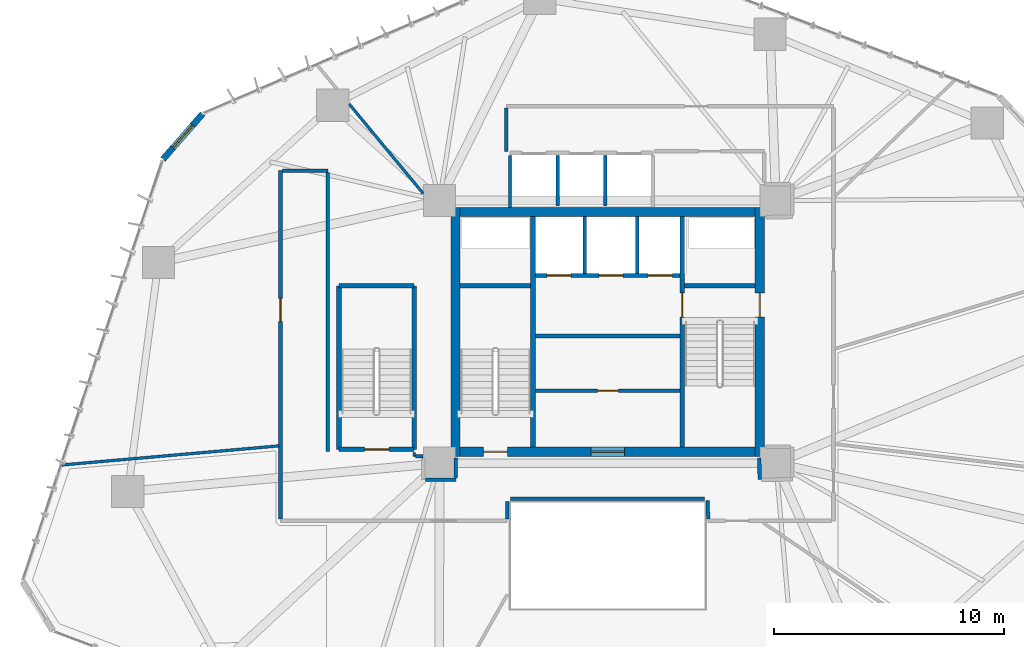
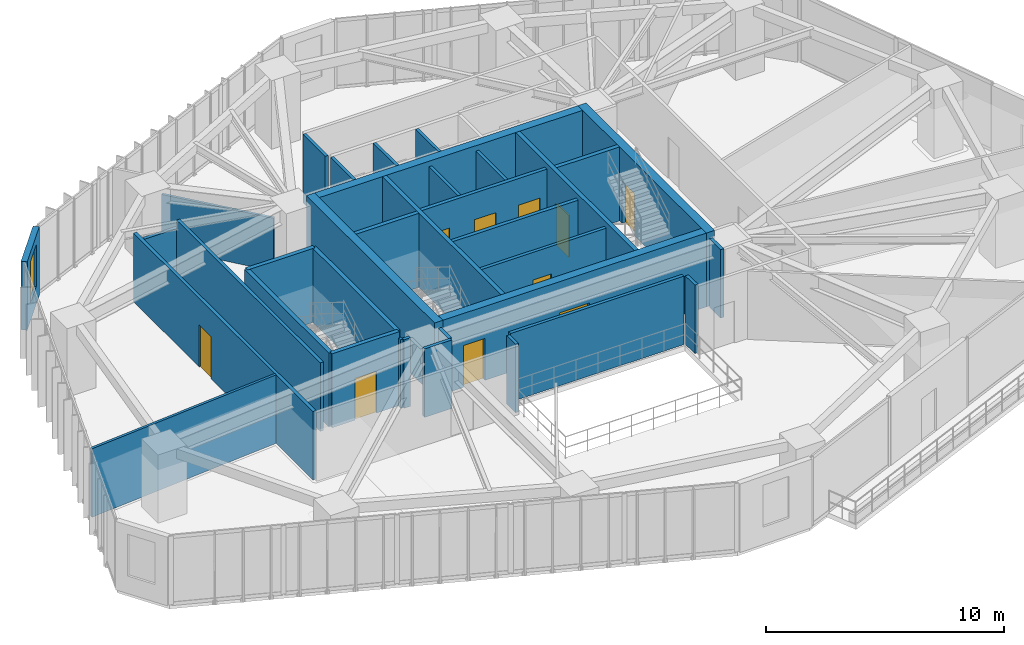
# One storey, part 18 of 23: 35 walls, 10 doors, 1 window, 11 openings.
"""IFC4 building model written with IfcOpenShell, lengths in metres."""

from ifc_helpers import new_model, si_unit, direction, frame, frame_2d, origin, place, context, subcontext, project, spatial, rectangle, extrude, source, transform, mapped, material, layer, layer_set, type_object, type_shapes, element, fill, save


model = new_model("IFC4")

# Units and contexts
model_context = context("Model", 3, precision=1e-05, world=origin(), true_north=direction((0.0, 1.0)))
body_context = subcontext(model_context, "Body", "Model", "MODEL_VIEW")
ifc_project = project(units=[si_unit("LENGTHUNIT", "METRE"), si_unit("AREAUNIT", "SQUARE_METRE"), si_unit("VOLUMEUNIT", "CUBIC_METRE"), si_unit("PLANEANGLEUNIT", "RADIAN"), si_unit("MASSUNIT", "GRAM", prefix="KILO")], contexts=[model_context])

# Site, building, storey
site_placement = place(None, origin())
site = spatial("IfcSite", under=ifc_project, at=site_placement, CompositionType="ELEMENT")
building_placement = place(site_placement, origin())
building = spatial("IfcBuilding", under=site, at=building_placement, Name="Talar Marvaseh", CompositionType="ELEMENT")
storey_placement = place(building_placement, frame((0.0, 0.0, 27.800048828125)))
storey = spatial("IfcBuildingStorey", under=building, at=storey_placement, Name="L06", CompositionType="ELEMENT", Elevation=27.800048828125)

# Wall, opening, window
ifc_material_1 = material(Name="Precast concrete C45/55", Category="concrete")
ifc_layer_1 = layer(ifc_material_1, 0.27001953125)
ifc_layer_set_1 = layer_set([ifc_layer_1], Name="Precast concrete C45/55")
wall_type_1 = type_object("IfcWallType", Name="Chamfered Hexagonal Corner Pier Wall Z1 270", PredefinedType="SOLIDWALL", material=ifc_layer_set_1)
wall_1_placement = place(storey_placement, frame((6.697021484375, 38.694091796875, 0.0), z_axis=(0.0, 0.0, 1.0), x_axis=(0.657647588364, 0.753325726043, 0.0)))
wall_1 = element("IfcWall", 1, at=wall_1_placement, inside=storey, type_object=wall_type_1, Name="L06 Chamfered Corner Limestone Pier 2", PredefinedType="SOLIDWALL", context=body_context, shape_type="SweptSolid", body=[
    extrude(rectangle(XDim=2.623046875, YDim=0.27001953125, at=frame_2d((1.3115234375, 0.0))), origin(), (0.0, 0.0, 1.0), 3.52001953125),
])
opening_1_placement = place(wall_1_placement, frame((0.662109375, 0.0, 0.89990234375)))
opening_1 = element("IfcOpeningElement", 2, at=opening_1_placement, cuts=wall_1, Name="Opening WN-CHM13", PredefinedType="OPENING", context=body_context, shape_type="SweptSolid", body=[
    extrude(rectangle(XDim=1.300048828125, YDim=2.14990234375, at=frame_2d((0.64990234375, 1.074951171875))), frame((0.0, 0.14501953125, 0.0), z_axis=(0.0, -1.0, 0.0), x_axis=(1.0, 0.0, 0.0)), (0.0, 0.0, 1.0), 0.2900390625),
])
ifc_material_2 = material(Name="Laminated Low-E Solar Glass", Category="glass")
window_type = type_object("IfcWindowType", Name="Zone 1 Chamfered Corner Slot Window 1300x2150", PartitioningType="SINGLE_PANEL", PredefinedType="WINDOW", material=ifc_material_2)
shared_shape_1 = source(origin(), body_context, "Body", "SweptSolid", [
    extrude(rectangle(XDim=1.300048828125, YDim=2.14990234375, at=frame_2d((0.64990234375, 1.074951171875))), frame((0.0, 0.030029296875, 0.0), z_axis=(0.0, -1.0, 0.0), x_axis=(1.0, 0.0, 0.0)), (0.0, 0.0, 1.0), 0.06005859375),
])
type_shapes(window_type, [shared_shape_1])
window_placement = place(opening_1_placement, origin())
window = element("IfcWindow", 3, at=window_placement, inside=storey, type_object=window_type, Name="L06 Chamfered Corner Slot Window", OverallHeight=2.14990234375, OverallWidth=1.300048828125, PartitioningType="SINGLE_PANEL", PredefinedType="WINDOW", context=body_context, shape_type="MappedRepresentation", body=[
    mapped(shared_shape_1, transform((0.0, 0.0, 0.0), x_axis=(1.0, 0.0, 0.0), y_axis=(0.0, 1.0, 0.0), z_axis=(0.0, 0.0, 1.0), scale=1.0)),
])
fill(opening_1, window)

# Wall, opening, door
ifc_material_3 = material(Name="Gypsum Board Partition Assembly")
ifc_layer_2 = layer(ifc_material_3, 0.155029296875)
ifc_layer_set_2 = layer_set([ifc_layer_2], Name="Gypsum Board Partition Assembly")
wall_type_2 = type_object("IfcWallType", Name="Corridor Fire-Rated Acoustic Partition 155", PredefinedType="PARTITIONING", material=ifc_layer_set_2)
wall_2_placement = place(storey_placement, frame((22.865966796875, 28.639892578125, 0.0), z_axis=(0.0, 0.0, 1.0), x_axis=(1.0, 0.0, 0.0)))
wall_2 = element("IfcWall", 4, at=wall_2_placement, inside=storey, type_object=wall_type_2, Name="L06 Core BOH Partition", PredefinedType="PARTITIONING", context=body_context, shape_type="SweptSolid", body=[
    extrude(rectangle(XDim=6.26806640625, YDim=0.155029296875, at=frame_2d((3.134033203125, 0.0))), origin(), (0.0, 0.0, 1.0), 3.52001953125),
])
opening_2_placement = place(wall_2_placement, frame((2.699951171875, 0.0, 0.0)))
opening_2 = element("IfcOpeningElement", 5, at=opening_2_placement, cuts=wall_2, Name="Opening DR-BOH090", PredefinedType="OPENING", context=body_context, shape_type="SweptSolid", body=[
    extrude(rectangle(XDim=0.89990234375, YDim=2.10009765625, at=frame_2d((0.449951171875, 1.050048828125))), frame((0.0, 0.08740234375, 0.0), z_axis=(0.0, -1.0, 0.0), x_axis=(1.0, 0.0, 0.0)), (0.0, 0.0, 1.0), 0.175048828125),
])
ifc_material_4 = material(Name="Fire-Rated Steel Door Leaf", Category="steel")
door_type_1 = type_object("IfcDoorType", Name="Core Back-of-House Service Door 900x2100", OperationType="NOTDEFINED", PredefinedType="DOOR", material=ifc_material_4)
shared_shape_2 = source(origin(), body_context, "Body", "SweptSolid", [
    extrude(rectangle(XDim=0.89990234375, YDim=2.10009765625, at=frame_2d((0.449951171875, 1.050048828125))), frame((0.0, 0.02490234375, 0.0), z_axis=(0.0, -1.0, 0.0), x_axis=(1.0, 0.0, 0.0)), (0.0, 0.0, 1.0), 0.050048828125),
])
type_shapes(door_type_1, [shared_shape_2])
door_1_placement = place(opening_2_placement, origin())
door_1 = element("IfcDoor", 6, at=door_1_placement, inside=storey, type_object=door_type_1, Name="L06 Store Core Central Archive Door", OperationType="SINGLE_SWING_LEFT", OverallHeight=2.10009765625, OverallWidth=0.89990234375, PredefinedType="DOOR", context=body_context, shape_type="MappedRepresentation", body=[
    mapped(shared_shape_2, transform((0.0, 0.0, 0.0), x_axis=(1.0, 0.0, 0.0), y_axis=(0.0, 1.0, 0.0), z_axis=(0.0, 0.0, 1.0), scale=1.0)),
])
fill(opening_2, door_1)

wall_3_placement = place(storey_placement, frame((11.800048828125, 23.08349609375, 0.0), z_axis=(0.0, 0.0, 1.0), x_axis=(0.0, 1.0, 0.0)))
wall_3 = element("IfcWall", 7, at=wall_3_placement, inside=storey, type_object=wall_type_2, Name="L06 Interior Partition Wall", PredefinedType="PARTITIONING", context=body_context, shape_type="SweptSolid", body=[
    extrude(rectangle(XDim=15.116455078125, YDim=0.155029296875, at=frame_2d((7.55810546875, 0.0))), origin(), (0.0, 0.0, 1.0), 3.52001953125),
])
opening_3_placement = place(wall_3_placement, frame((8.5751953125, 0.0, 0.0)))
opening_3 = element("IfcOpeningElement", 8, at=opening_3_placement, cuts=wall_3, Name="Opening DR-RM100", PredefinedType="OPENING", context=body_context, shape_type="SweptSolid", body=[
    extrude(rectangle(XDim=1.0, YDim=2.14990234375, at=frame_2d((0.5, 1.074951171875))), frame((0.0, 0.08740234375, 0.0), z_axis=(0.0, -1.0, 0.0), x_axis=(1.0, 0.0, 0.0)), (0.0, 0.0, 1.0), 0.175048828125),
])
ifc_material_5 = material(Name="Acoustic Engineered Oak Timber", Category="wood")
door_type_2 = type_object("IfcDoorType", Name="Corridor Fire-Rated Gallery Door 1000x2150", OperationType="NOTDEFINED", PredefinedType="DOOR", material=ifc_material_5)
shared_shape_3 = source(origin(), body_context, "Body", "SweptSolid", [
    extrude(rectangle(XDim=1.0, YDim=2.14990234375, at=frame_2d((0.5, 1.074951171875))), frame((0.0, 0.02490234375, 0.0), z_axis=(0.0, -1.0, 0.0), x_axis=(1.0, 0.0, 0.0)), (0.0, 0.0, 1.0), 0.050048828125),
])
type_shapes(door_type_2, [shared_shape_3])
door_2_placement = place(opening_3_placement, origin())
door_2 = element("IfcDoor", 9, at=door_2_placement, inside=storey, type_object=door_type_2, Name="L06 Cultural Fellowship Office Door", OperationType="SINGLE_SWING_RIGHT", OverallHeight=2.14990234375, OverallWidth=1.0, PredefinedType="DOOR", context=body_context, shape_type="MappedRepresentation", body=[
    mapped(shared_shape_3, transform((0.0, 0.0, 0.0), x_axis=(1.0, 0.0, 0.0), y_axis=(0.0, 1.0, 0.0), z_axis=(0.0, 0.0, 1.0), scale=1.0)),
])
fill(opening_3, door_2)

# Walls
wall_4_placement = place(storey_placement, frame((30.199951171875, 23.9599609375, 0.0), z_axis=(0.0, 0.0, 1.0), x_axis=(-0.999999996213, -8.7029677e-05, 0.0)))
element("IfcWall", 10, at=wall_4_placement, inside=storey, type_object=wall_type_2, Name="L06 Interior Partition Wall", PredefinedType="PARTITIONING", context=body_context, shape_type="SweptSolid", body=[
    extrude(rectangle(XDim=8.415771484375, YDim=0.155029296875, at=frame_2d((4.2080078125, 0.0))), origin(), (0.0, 0.0, 1.0), 3.52001953125),
])
wall_5_placement = place(storey_placement, frame((21.64306640625, 23.831298828125, 0.0), z_axis=(0.0, 0.0, 1.0), x_axis=(-0.00359122725, -0.999993551523, 0.0)))
element("IfcWall", 11, at=wall_5_placement, inside=storey, type_object=wall_type_2, Name="L06 Interior Partition Wall", PredefinedType="PARTITIONING", context=body_context, shape_type="SweptSolid", body=[
    extrude(rectangle(XDim=0.747802734375, YDim=0.155029296875, at=frame_2d((0.3740234375, 0.0))), origin(), (0.0, 0.0, 1.0), 3.52001953125),
])
wall_6_placement = place(storey_placement, frame((11.883544921875, 38.199951171875, 0.0), z_axis=(0.0, 0.0, 1.0), x_axis=(1.0, 0.0, 0.0)))
element("IfcWall", 12, at=wall_6_placement, inside=storey, type_object=wall_type_2, Name="L06 Interior Partition Wall", PredefinedType="PARTITIONING", context=body_context, shape_type="SweptSolid", body=[
    extrude(rectangle(XDim=1.966552734375, YDim=0.155029296875, at=frame_2d((0.9833984375, 0.0))), origin(), (0.0, 0.0, 1.0), 3.08203125),
])
wall_7_placement = place(storey_placement, frame((13.85009765625, 38.116455078125, 0.0), z_axis=(0.0, 0.0, 1.0), x_axis=(0.0, -1.0, 0.0)))
element("IfcWall", 13, at=wall_7_placement, inside=storey, type_object=wall_type_2, Name="L06 Interior Partition Wall", PredefinedType="PARTITIONING", context=body_context, shape_type="SweptSolid", body=[
    extrude(rectangle(XDim=12.096435546875, YDim=0.155029296875, at=frame_2d((6.04833984375, 0.0))), origin(), (0.0, 0.0, 1.0), 3.52001953125),
])
wall_8_placement = place(storey_placement, frame((17.666015625, 25.800048828125, 0.0), z_axis=(0.0, 0.0, 1.0), x_axis=(1.0, 0.0, 0.0)))
element("IfcWall", 14, at=wall_8_placement, inside=storey, type_object=wall_type_2, Name="L06 Interior Partition Wall", PredefinedType="PARTITIONING", context=body_context, shape_type="SweptSolid", body=[
    extrude(rectangle(XDim=0.319091796875, YDim=0.155029296875, at=frame_2d((0.15966796875, 0.0))), origin(), (0.0, 0.0, 1.0), 3.52001953125),
])
wall_9_placement = place(storey_placement, frame((18.08203125, 24.78515625, 0.0), z_axis=(0.0, 0.0, 1.0), x_axis=(0.99999830547, 0.001840939443, 0.0)))
element("IfcWall", 15, at=wall_9_placement, inside=storey, type_object=wall_type_2, Name="L06 Interior Partition Wall", PredefinedType="PARTITIONING", context=body_context, shape_type="SweptSolid", body=[
    extrude(rectangle(XDim=1.326171875, YDim=0.155029296875, at=frame_2d((0.6630859375, 0.0))), origin(), (0.0, 0.0, 1.0), 3.52001953125),
])
wall_10_placement = place(storey_placement, frame((19.408935546875, 24.87109375, 0.0), z_axis=(0.0, 0.0, 1.0), x_axis=(0.007106130977, 0.999974751133, 0.0)))
element("IfcWall", 16, at=wall_10_placement, inside=storey, type_object=wall_type_2, Name="L06 Interior Partition Wall", PredefinedType="PARTITIONING", context=body_context, shape_type="SweptSolid", body=[
    extrude(rectangle(XDim=0.85888671875, YDim=0.155029296875, at=frame_2d((0.429443359375, 0.0))), origin(), (0.0, 0.0, 1.0), 3.52001953125),
])
wall_11_placement = place(storey_placement, frame((32.5849609375, 25.72998046875, 0.0), z_axis=(0.0, 0.0, 1.0), x_axis=(0.007253695172, -0.999973691607, 0.0)))
element("IfcWall", 17, at=wall_11_placement, inside=storey, type_object=wall_type_2, Name="L06 Interior Partition Wall", PredefinedType="PARTITIONING", context=body_context, shape_type="SweptSolid", body=[
    extrude(rectangle(XDim=0.9423828125, YDim=0.155029296875, at=frame_2d((0.47119140625, 0.0))), origin(), (0.0, 0.0, 1.0), 3.52001953125),
])
wall_12_placement = place(storey_placement, frame((21.60009765625, 39.0400390625, 0.0), z_axis=(0.0, 0.0, 1.0), x_axis=(0.0, 1.0, 0.0)))
element("IfcWall", 18, at=wall_12_placement, inside=storey, type_object=wall_type_2, Name="L06 Interior Partition Wall", PredefinedType="PARTITIONING", context=body_context, shape_type="SweptSolid", body=[
    extrude(rectangle(XDim=1.87646484375, YDim=0.155029296875, at=frame_2d((0.938232421875, 0.0))), origin(), (0.0, 0.0, 1.0), 3.52001953125),
])
wall_13_placement = place(storey_placement, frame((30.358154296875, 23.08349609375, 0.0), z_axis=(0.0, 0.0, 1.0), x_axis=(-0.021573276475, 0.999767269789, 0.0)))
element("IfcWall", 19, at=wall_13_placement, inside=storey, type_object=wall_type_2, Name="L06 Interior Partition Wall", PredefinedType="PARTITIONING", context=body_context, shape_type="SweptSolid", body=[
    extrude(rectangle(XDim=0.792236328125, YDim=0.155029296875, at=frame_2d((0.39599609375, 0.0))), origin(), (0.0, 0.0, 1.0), 3.52001953125),
])
ifc_layer_3 = layer(ifc_material_3, 0.1201171875)
ifc_layer_set_3 = layer_set([ifc_layer_3], Name="Gypsum Board Partition Assembly")
wall_type_3 = type_object("IfcWallType", Name="Demountable Studio Room Partition 120", PredefinedType="PARTITIONING", material=ifc_layer_set_3)
wall_14_placement = place(storey_placement, frame((17.60009765625, 25.96240234375, 0.0), z_axis=(0.0, 0.0, 1.0), x_axis=(0.0, -1.0, 0.0)))
element("IfcWall", 20, at=wall_14_placement, inside=storey, type_object=wall_type_3, Name="L06 Interior Partition Wall", PredefinedType="PARTITIONING", context=body_context, shape_type="SweptSolid", body=[
    extrude(rectangle(XDim=0.1748046875, YDim=0.1201171875, at=frame_2d((0.08740234375, 0.0))), origin(), (0.0, 0.0, 1.0), 3.52001953125),
])
wall_15_placement = place(storey_placement, frame((2.300537109375, 25.42333984375, 0.0), z_axis=(0.0, 0.0, 1.0), x_axis=(0.996143047985, 0.087744104938, 0.0)))
element("IfcWall", 21, at=wall_15_placement, inside=storey, type_object=wall_type_3, Name="L06 Interior Partition Wall", PredefinedType="PARTITIONING", context=body_context, shape_type="SweptSolid", body=[
    extrude(rectangle(XDim=9.471435546875, YDim=0.1201171875, at=frame_2d((4.73583984375, 0.0))), origin(), (0.0, 0.0, 1.0), 3.52001953125),
])
wall_16_placement = place(storey_placement, frame((17.989990234375, 37.2099609375, 0.0), z_axis=(0.0, 0.0, 1.0), x_axis=(-0.63742879538, 0.770509267187, 0.0)))
element("IfcWall", 22, at=wall_16_placement, inside=storey, type_object=wall_type_3, Name="L06 Interior Partition Wall", PredefinedType="PARTITIONING", context=body_context, shape_type="SweptSolid", body=[
    extrude(rectangle(XDim=5.035888671875, YDim=0.1201171875, at=frame_2d((2.51806640625, 0.0))), origin(), (0.0, 0.0, 1.0), 2.721923828125),
])
ifc_layer_4 = layer(ifc_material_1, 0.14501953125)
ifc_layer_set_4 = layer_set([ifc_layer_4], Name="Precast concrete C45/55")
wall_type_4 = type_object("IfcWallType", Name="Fire-Rated Lift Divider Wall 145", PredefinedType="SOLIDWALL", material=ifc_layer_set_4)
for number, where, z_axis, x_axis, name in (
    (23, (25.0, 33.743408203125, 0.0), (0.0, 0.0, 1.0), (0.0, 1.0, 0.0), "L06 FFL-1/FFL-2 Divider"),
    (24, (27.280029296875, 33.743408203125, 0.0), (0.0, 0.0, 1.0), (0.0, 1.0, 0.0), "L06 FFL-2/SVL-1 Divider"),
):
    element("IfcWall", number, at=place(storey_placement, frame(where, z_axis=z_axis, x_axis=x_axis)), inside=storey, type_object=wall_type_4, Name=name, PredefinedType="SOLIDWALL", context=body_context, shape_type="SweptSolid", body=[
        extrude(rectangle(XDim=2.45654296875, YDim=0.14501953125, at=frame_2d((1.228271484375, 0.0))), origin(), (0.0, 0.0, 1.0), 3.52001953125),
    ])
wall_17_placement = place(storey_placement, frame((21.760009765625, 36.60009765625, 0.0), z_axis=(0.0, 0.0, 1.0), x_axis=(0.0, 1.0, 0.0)))
element("IfcWall", 25, at=wall_17_placement, inside=storey, type_object=wall_type_4, Name="L06 Low-Rise Bank West Wall", PredefinedType="SOLIDWALL", context=body_context, shape_type="SweptSolid", body=[
    extrude(rectangle(XDim=2.266357421875, YDim=0.14501953125, at=frame_2d((1.13330078125, 0.0))), origin(), (0.0, 0.0, 1.0), 3.52001953125),
])
for number, where, z_axis, x_axis, name in (
    (26, (23.830078125, 36.659912109375, 0.0), (0.0, 0.0, 1.0), (0.0, 1.0, 0.0), "L06 PL-L1/PL-L2 Divider"),
    (27, (25.889892578125, 36.659912109375, 0.0), (0.0, 0.0, 1.0), (0.0, 1.0, 0.0), "L06 PL-L2/PL-L3 Divider"),
):
    element("IfcWall", number, at=place(storey_placement, frame(where, z_axis=z_axis, x_axis=x_axis)), inside=storey, type_object=wall_type_4, Name=name, PredefinedType="SOLIDWALL", context=body_context, shape_type="SweptSolid", body=[
        extrude(rectangle(XDim=2.20654296875, YDim=0.14501953125, at=frame_2d((1.103271484375, 0.0))), origin(), (0.0, 0.0, 1.0), 3.52001953125),
    ])

# Wall, openings, doors
ifc_layer_5 = layer(ifc_material_1, 0.175048828125)
ifc_layer_set_5 = layer_set([ifc_layer_5], Name="Precast concrete C45/55")
wall_type_5 = type_object("IfcWallType", Name="Fire-Rated Lift Hoistway Enclosure Wall 175", PredefinedType="SOLIDWALL", material=ifc_layer_set_5)
wall_18_placement = place(storey_placement, frame((22.860107421875, 33.64990234375, 0.0), z_axis=(0.0, 0.0, 1.0), x_axis=(1.0, 0.0, 0.0)))
wall_18 = element("IfcWall", 28, at=wall_18_placement, inside=storey, type_object=wall_type_5, Name="L06 Firefighting and Service Lift Front Wall", PredefinedType="SOLIDWALL", context=body_context, shape_type="SweptSolid", body=[
    extrude(rectangle(XDim=6.27978515625, YDim=0.175048828125, at=frame_2d((3.139892578125, 0.0))), origin(), (0.0, 0.0, 1.0), 3.52001953125),
])
opening_4_placement = place(wall_18_placement, frame((0.5, 0.0, 0.0)))
opening_4 = element("IfcOpeningElement", 29, at=opening_4_placement, cuts=wall_18, Name="Opening LD-FF1", PredefinedType="OPENING", context=body_context, shape_type="SweptSolid", body=[
    extrude(rectangle(XDim=1.050048828125, YDim=2.14990234375, at=frame_2d((0.52490234375, 1.074951171875))), frame((0.0, 0.09765625, 0.0), z_axis=(0.0, -1.0, 0.0), x_axis=(1.0, 0.0, 0.0)), (0.0, 0.0, 1.0), 0.195068359375),
])
opening_5_placement = place(wall_18_placement, frame((2.760009765625, 0.0, 0.0)))
opening_5 = element("IfcOpeningElement", 30, at=opening_5_placement, cuts=wall_18, Name="Opening LD-FF2", PredefinedType="OPENING", context=body_context, shape_type="SweptSolid", body=[
    extrude(rectangle(XDim=1.050048828125, YDim=2.14990234375, at=frame_2d((0.52490234375, 1.074951171875))), frame((0.0, 0.09765625, 0.0), z_axis=(0.0, -1.0, 0.0), x_axis=(1.0, 0.0, 0.0)), (0.0, 0.0, 1.0), 0.195068359375),
])
opening_6_placement = place(wall_18_placement, frame((4.89990234375, 0.0, 0.0)))
opening_6 = element("IfcOpeningElement", 31, at=opening_6_placement, cuts=wall_18, Name="Opening LD-SV1", PredefinedType="OPENING", context=body_context, shape_type="SweptSolid", body=[
    extrude(rectangle(XDim=1.050048828125, YDim=2.14990234375, at=frame_2d((0.52490234375, 1.074951171875))), frame((0.0, 0.09765625, 0.0), z_axis=(0.0, -1.0, 0.0), x_axis=(1.0, 0.0, 0.0)), (0.0, 0.0, 1.0), 0.195068359375),
])
ifc_material_6 = material(Name="Stainless Steel Grade 316", Category="steel")
door_type_3 = type_object("IfcDoorType", Name="Automatic Sliding Lift Landing Door 1050x2150", OperationType="NOTDEFINED", PredefinedType="DOOR", material=ifc_material_6)
shared_shape_4 = source(origin(), body_context, "Body", "SweptSolid", [
    extrude(rectangle(XDim=1.050048828125, YDim=2.14990234375, at=frame_2d((0.52490234375, 1.074951171875))), frame((0.0, 0.02490234375, 0.0), z_axis=(0.0, -1.0, 0.0), x_axis=(1.0, 0.0, 0.0)), (0.0, 0.0, 1.0), 0.050048828125),
])
type_shapes(door_type_3, [shared_shape_4])
door_3_placement = place(opening_4_placement, origin())
door_3 = element("IfcDoor", 32, at=door_3_placement, inside=storey, type_object=door_type_3, Name="L06 Lift FFL-1 Sliding Landing Door", OperationType="SLIDING_TO_LEFT", OverallHeight=2.14990234375, OverallWidth=1.050048828125, PredefinedType="DOOR", context=body_context, shape_type="MappedRepresentation", body=[
    mapped(shared_shape_4, transform((0.0, 0.0, 0.0), x_axis=(1.0, 0.0, 0.0), y_axis=(0.0, 1.0, 0.0), z_axis=(0.0, 0.0, 1.0), scale=1.0)),
])
fill(opening_4, door_3)
door_4_placement = place(opening_5_placement, origin())
door_4 = element("IfcDoor", 33, at=door_4_placement, inside=storey, type_object=door_type_3, Name="L06 Lift FFL-2 Sliding Landing Door", OperationType="SLIDING_TO_LEFT", OverallHeight=2.14990234375, OverallWidth=1.050048828125, PredefinedType="DOOR", context=body_context, shape_type="MappedRepresentation", body=[
    mapped(shared_shape_4, transform((0.0, 0.0, 0.0), x_axis=(1.0, 0.0, 0.0), y_axis=(0.0, 1.0, 0.0), z_axis=(0.0, 0.0, 1.0), scale=1.0)),
])
fill(opening_5, door_4)
door_5_placement = place(opening_6_placement, origin())
door_5 = element("IfcDoor", 34, at=door_5_placement, inside=storey, type_object=door_type_3, Name="L06 Lift SVL-1 Sliding Landing Door", OperationType="SLIDING_TO_LEFT", OverallHeight=2.14990234375, OverallWidth=1.050048828125, PredefinedType="DOOR", context=body_context, shape_type="MappedRepresentation", body=[
    mapped(shared_shape_4, transform((0.0, 0.0, 0.0), x_axis=(1.0, 0.0, 0.0), y_axis=(0.0, 1.0, 0.0), z_axis=(0.0, 0.0, 1.0), scale=1.0)),
])
fill(opening_6, door_5)

# Walls
wall_19_placement = place(storey_placement, frame((22.860107421875, 31.02001953125, 0.0), z_axis=(0.0, 0.0, 1.0), x_axis=(1.0, 0.0, 0.0)))
element("IfcWall", 35, at=wall_19_placement, inside=storey, type_object=wall_type_5, Name="L06 Firefighting Lobby South Smoke Wall", PredefinedType="SOLIDWALL", context=body_context, shape_type="SweptSolid", body=[
    extrude(rectangle(XDim=6.27978515625, YDim=0.175048828125, at=frame_2d((3.139892578125, 0.0))), origin(), (0.0, 0.0, 1.0), 3.52001953125),
])
ifc_material_7 = material(Name="Concrete C70/85", Category="concrete")
ifc_layer_6 = layer(ifc_material_7, 0.39990234375)
ifc_layer_set_6 = layer_set([ifc_layer_6], Name="Concrete C70/85")
wall_type_6 = type_object("IfcWallType", Name="Lower Core Reinforced Concrete Shear Wall 400", PredefinedType="SHEAR", material=ifc_layer_set_6)
wall_20_placement = place(storey_placement, frame((19.39990234375, 25.800048828125, 0.0), z_axis=(0.0, 0.0, 1.0), x_axis=(0.0, 1.0, 0.0)))
element("IfcWall", 36, at=wall_20_placement, inside=storey, type_object=wall_type_6, Name="L06 West Core Shear Wall", PredefinedType="SHEAR", context=body_context, shape_type="SweptSolid", body=[
    extrude(rectangle(XDim=10.800048828125, YDim=0.39990234375, at=frame_2d((5.39990234375, 0.0))), origin(), (0.0, 0.0, 1.0), 3.800048828125),
])

# Wall, opening, door
wall_21_placement = place(storey_placement, frame((32.60009765625, 36.60009765625, 0.0), z_axis=(0.0, 0.0, 1.0), x_axis=(0.0, -1.0, 0.0)))
wall_21 = element("IfcWall", 37, at=wall_21_placement, inside=storey, type_object=wall_type_6, Name="L06 East Core Shear Wall", PredefinedType="SHEAR", context=body_context, shape_type="SweptSolid", body=[
    extrude(rectangle(XDim=10.800048828125, YDim=0.39990234375, at=frame_2d((5.39990234375, 0.0))), origin(), (0.0, 0.0, 1.0), 3.800048828125),
])
opening_7_placement = place(wall_21_placement, frame((3.699951171875, 0.0, 0.0)))
opening_7 = element("IfcOpeningElement", 38, at=opening_7_placement, cuts=wall_21, Name="Opening DR-ST105", PredefinedType="OPENING", context=body_context, shape_type="SweptSolid", body=[
    extrude(rectangle(XDim=1.050048828125, YDim=2.14990234375, at=frame_2d((0.52490234375, 1.074951171875))), frame((0.0, 0.2099609375, 0.0), z_axis=(0.0, -1.0, 0.0), x_axis=(1.0, 0.0, 0.0)), (0.0, 0.0, 1.0), 0.419921875),
])
door_type_4 = type_object("IfcDoorType", Name="Protected Exit Stair Fire Door 1050x2150", OperationType="NOTDEFINED", PredefinedType="DOOR", material=ifc_material_4)
shared_shape_5 = source(origin(), body_context, "Body", "SweptSolid", [
    extrude(rectangle(XDim=1.050048828125, YDim=2.14990234375, at=frame_2d((0.52490234375, 1.074951171875))), frame((0.0, 0.02490234375, 0.0), z_axis=(0.0, -1.0, 0.0), x_axis=(1.0, 0.0, 0.0)), (0.0, 0.0, 1.0), 0.050048828125),
])
type_shapes(door_type_4, [shared_shape_5])
door_6_placement = place(opening_7_placement, origin())
door_6 = element("IfcDoor", 39, at=door_6_placement, inside=storey, type_object=door_type_4, Name="L06 Stair ST-2 Corridor Exit Door", OperationType="SINGLE_SWING_LEFT", OverallHeight=2.14990234375, OverallWidth=1.050048828125, PredefinedType="DOOR", context=body_context, shape_type="MappedRepresentation", body=[
    mapped(shared_shape_5, transform((0.0, 0.0, 0.0), x_axis=(1.0, 0.0, 0.0), y_axis=(0.0, 1.0, 0.0), z_axis=(0.0, 0.0, 1.0), scale=1.0)),
])
fill(opening_7, door_6)

# Wall
wall_22_placement = place(storey_placement, frame((19.60009765625, 36.39990234375, 0.0), z_axis=(0.0, 0.0, 1.0), x_axis=(1.0, 0.0, 0.0)))
element("IfcWall", 40, at=wall_22_placement, inside=storey, type_object=wall_type_6, Name="L06 North Core Shear Wall", PredefinedType="SHEAR", context=body_context, shape_type="SweptSolid", body=[
    extrude(rectangle(XDim=12.7998046875, YDim=0.39990234375, at=frame_2d((6.39990234375, 0.0))), origin(), (0.0, 0.0, 1.0), 3.800048828125),
])

# Wall, openings, doors
wall_23_placement = place(storey_placement, frame((32.39990234375, 26.0, 0.0), z_axis=(0.0, 0.0, 1.0), x_axis=(-1.0, 0.0, 0.0)))
wall_23 = element("IfcWall", 41, at=wall_23_placement, inside=storey, type_object=wall_type_6, Name="L06 South Core Shear Wall", PredefinedType="SHEAR", context=body_context, shape_type="SweptSolid", body=[
    extrude(rectangle(XDim=12.7998046875, YDim=0.39990234375, at=frame_2d((6.39990234375, 0.0))), origin(), (0.0, 0.0, 1.0), 3.800048828125),
])
opening_8_placement = place(wall_23_placement, frame((10.75, 0.0, 0.0)))
opening_8 = element("IfcOpeningElement", 42, at=opening_8_placement, cuts=wall_23, Name="Opening DR-ST105", PredefinedType="OPENING", context=body_context, shape_type="SweptSolid", body=[
    extrude(rectangle(XDim=1.050048828125, YDim=2.14990234375, at=frame_2d((0.52490234375, 1.074951171875))), frame((0.0, 0.2099609375, 0.0), z_axis=(0.0, -1.0, 0.0), x_axis=(1.0, 0.0, 0.0)), (0.0, 0.0, 1.0), 0.419921875),
])
opening_9_placement = place(wall_23_placement, frame((5.669921875, 0.0, 0.0)))
opening_9 = element("IfcOpeningElement", 43, at=opening_9_placement, cuts=wall_23, Name="Opening DR-LBY145", PredefinedType="OPENING", context=body_context, shape_type="SweptSolid", body=[
    extrude(rectangle(XDim=1.449951171875, YDim=2.199951171875, at=frame_2d((0.72509765625, 1.10009765625))), frame((0.0, 0.2099609375, 0.0), z_axis=(0.0, -1.0, 0.0), x_axis=(1.0, 0.0, 0.0)), (0.0, 0.0, 1.0), 0.419921875),
])
door_7_placement = place(opening_8_placement, origin())
door_7 = element("IfcDoor", 44, at=door_7_placement, inside=storey, type_object=door_type_4, Name="L06 Stair ST-1 Exit Door", OperationType="SINGLE_SWING_RIGHT", OverallHeight=2.14990234375, OverallWidth=1.050048828125, PredefinedType="DOOR", context=body_context, shape_type="MappedRepresentation", body=[
    mapped(shared_shape_5, transform((0.0, 0.0, 0.0), x_axis=(1.0, 0.0, 0.0), y_axis=(0.0, 1.0, 0.0), z_axis=(0.0, 0.0, 1.0), scale=1.0)),
])
fill(opening_8, door_7)
door_type_5 = type_object("IfcDoorType", Name="Core Lift Lobby Double Smoke Door 1450x2200", OperationType="NOTDEFINED", PredefinedType="DOOR", material=ifc_material_4)
shared_shape_6 = source(origin(), body_context, "Body", "SweptSolid", [
    extrude(rectangle(XDim=1.449951171875, YDim=2.199951171875, at=frame_2d((0.72509765625, 1.10009765625))), frame((0.0, 0.02490234375, 0.0), z_axis=(0.0, -1.0, 0.0), x_axis=(1.0, 0.0, 0.0)), (0.0, 0.0, 1.0), 0.050048828125),
])
type_shapes(door_type_5, [shared_shape_6])
door_8_placement = place(opening_9_placement, origin())
door_8 = element("IfcDoor", 45, at=door_8_placement, inside=storey, type_object=door_type_5, Name="L06 Passenger Lift Lobby Entrance Door", OperationType="DOUBLE_DOOR_SINGLE_SWING", OverallHeight=2.199951171875, OverallWidth=1.449951171875, PredefinedType="DOOR", context=body_context, shape_type="MappedRepresentation", body=[
    mapped(shared_shape_6, transform((0.0, 0.0, 0.0), x_axis=(1.0, 0.0, 0.0), y_axis=(0.0, 1.0, 0.0), z_axis=(0.0, 0.0, 1.0), scale=1.0)),
])
fill(opening_9, door_8)

# Wall
ifc_material_8 = material(Name="Concrete C50/60", Category="concrete")
ifc_layer_7 = layer(ifc_material_8, 0.199951171875)
ifc_layer_set_7 = layer_set([ifc_layer_7], Name="Concrete C50/60")
wall_type_7 = type_object("IfcWallType", Name="Stair Shaft Structural Concrete Shear Wall 200", PredefinedType="SHEAR", material=ifc_layer_set_7)
wall_24_placement = place(storey_placement, frame((22.760009765625, 26.199951171875, 0.0), z_axis=(0.0, 0.0, 1.0), x_axis=(0.0, 1.0, 0.0)))
element("IfcWall", 46, at=wall_24_placement, inside=storey, type_object=wall_type_7, Name="L06 Core West Stair Shear Wall", PredefinedType="SHEAR", context=body_context, shape_type="SweptSolid", body=[
    extrude(rectangle(XDim=10.0, YDim=0.199951171875, at=frame_2d((5.0, 0.0))), origin(), (0.0, 0.0, 1.0), 3.800048828125),
])

# Wall, opening, door
wall_25_placement = place(storey_placement, frame((29.239990234375, 26.199951171875, 0.0), z_axis=(0.0, 0.0, 1.0), x_axis=(0.0, 1.0, 0.0)))
wall_25 = element("IfcWall", 47, at=wall_25_placement, inside=storey, type_object=wall_type_7, Name="L06 Core East Stair Shear Wall", PredefinedType="SHEAR", context=body_context, shape_type="SweptSolid", body=[
    extrude(rectangle(XDim=10.0, YDim=0.199951171875, at=frame_2d((5.0, 0.0))), origin(), (0.0, 0.0, 1.0), 3.800048828125),
])
opening_10_placement = place(wall_25_placement, frame((5.64990234375, 0.0, 0.0)))
opening_10 = element("IfcOpeningElement", 48, at=opening_10_placement, cuts=wall_25, Name="Opening DR-ST105", PredefinedType="OPENING", context=body_context, shape_type="SweptSolid", body=[
    extrude(rectangle(XDim=1.050048828125, YDim=2.14990234375, at=frame_2d((0.52490234375, 1.074951171875))), frame((0.0, 0.10986328125, 0.0), z_axis=(0.0, -1.0, 0.0), x_axis=(1.0, 0.0, 0.0)), (0.0, 0.0, 1.0), 0.219970703125),
])
door_9_placement = place(opening_10_placement, origin())
door_9 = element("IfcDoor", 49, at=door_9_placement, inside=storey, type_object=door_type_4, Name="L06 Firefighting Lobby to Stair ST-2 Door", OperationType="SINGLE_SWING_LEFT", OverallHeight=2.14990234375, OverallWidth=1.050048828125, PredefinedType="DOOR", context=body_context, shape_type="MappedRepresentation", body=[
    mapped(shared_shape_5, transform((0.0, 0.0, 0.0), x_axis=(1.0, 0.0, 0.0), y_axis=(0.0, 1.0, 0.0), z_axis=(0.0, 0.0, 1.0), scale=1.0)),
])
fill(opening_10, door_9)

# Walls
for number, where, z_axis, x_axis, name in (
    (50, (19.60009765625, 33.199951171875, 0.0), (0.0, 0.0, 1.0), (1.0, 0.0, 0.0), "L06 Stair ST-1 North Shear Wall"),
    (51, (29.340087890625, 33.199951171875, 0.0), (0.0, 0.0, 1.0), (1.0, 0.0, 0.0), "L06 Stair ST-2 North Shear Wall"),
):
    element("IfcWall", number, at=place(storey_placement, frame(where, z_axis=z_axis, x_axis=x_axis)), inside=storey, type_object=wall_type_7, Name=name, PredefinedType="SHEAR", context=body_context, shape_type="SweptSolid", body=[
        extrude(rectangle(XDim=3.059814453125, YDim=0.199951171875, at=frame_2d((1.52978515625, 0.0))), origin(), (0.0, 0.0, 1.0), 3.800048828125),
    ])

# Wall, opening, door
wall_26_placement = place(storey_placement, frame((17.60009765625, 26.10009765625, 0.0), z_axis=(0.0, 0.0, 1.0), x_axis=(-1.0, 0.0, 0.0)))
wall_26 = element("IfcWall", 52, at=wall_26_placement, inside=storey, type_object=wall_type_7, Name="L06 Stair ST-3 South Shear Wall", PredefinedType="SHEAR", context=body_context, shape_type="SweptSolid", body=[
    extrude(rectangle(XDim=3.260009765625, YDim=0.199951171875, at=frame_2d((1.6298828125, 0.0))), origin(), (0.0, 0.0, 1.0), 3.800048828125),
])
opening_11_placement = place(wall_26_placement, frame((1.10009765625, 0.0, 0.0)))
opening_11 = element("IfcOpeningElement", 53, at=opening_11_placement, cuts=wall_26, Name="Opening DR-ST105", PredefinedType="OPENING", context=body_context, shape_type="SweptSolid", body=[
    extrude(rectangle(XDim=1.050048828125, YDim=2.14990234375, at=frame_2d((0.52490234375, 1.074951171875))), frame((0.0, 0.10986328125, 0.0), z_axis=(0.0, -1.0, 0.0), x_axis=(1.0, 0.0, 0.0)), (0.0, 0.0, 1.0), 0.219970703125),
])
door_10_placement = place(opening_11_placement, origin())
door_10 = element("IfcDoor", 54, at=door_10_placement, inside=storey, type_object=door_type_4, Name="L06 Stair ST-3 Exit Door", OperationType="SINGLE_SWING_LEFT", OverallHeight=2.14990234375, OverallWidth=1.050048828125, PredefinedType="DOOR", context=body_context, shape_type="MappedRepresentation", body=[
    mapped(shared_shape_5, transform((0.0, 0.0, 0.0), x_axis=(1.0, 0.0, 0.0), y_axis=(0.0, 1.0, 0.0), z_axis=(0.0, 0.0, 1.0), scale=1.0)),
])
fill(opening_11, door_10)

# Walls
wall_27_placement = place(storey_placement, frame((14.340087890625, 33.199951171875, 0.0), z_axis=(0.0, 0.0, 1.0), x_axis=(1.0, 0.0, 0.0)))
element("IfcWall", 55, at=wall_27_placement, inside=storey, type_object=wall_type_7, Name="L06 Stair ST-3 North Shear Wall", PredefinedType="SHEAR", context=body_context, shape_type="SweptSolid", body=[
    extrude(rectangle(XDim=3.260009765625, YDim=0.199951171875, at=frame_2d((1.6298828125, 0.0))), origin(), (0.0, 0.0, 1.0), 3.800048828125),
])
for number, where, z_axis, x_axis, name in (
    (56, (14.340087890625, 26.10009765625, 0.0), (0.0, 0.0, 1.0), (0.0, 1.0, 0.0), "L06 Stair ST-3 West Shear Wall"),
    (57, (17.60009765625, 26.10009765625, 0.0), (0.0, 0.0, 1.0), (0.0, 1.0, 0.0), "L06 Stair ST-3 East Shear Wall"),
):
    element("IfcWall", number, at=place(storey_placement, frame(where, z_axis=z_axis, x_axis=x_axis)), inside=storey, type_object=wall_type_7, Name=name, PredefinedType="SHEAR", context=body_context, shape_type="SweptSolid", body=[
        extrude(rectangle(XDim=7.099853515625, YDim=0.199951171875, at=frame_2d((3.5498046875, 0.0))), origin(), (0.0, 0.0, 1.0), 3.800048828125),
    ])

save(model, "model.ifc")
